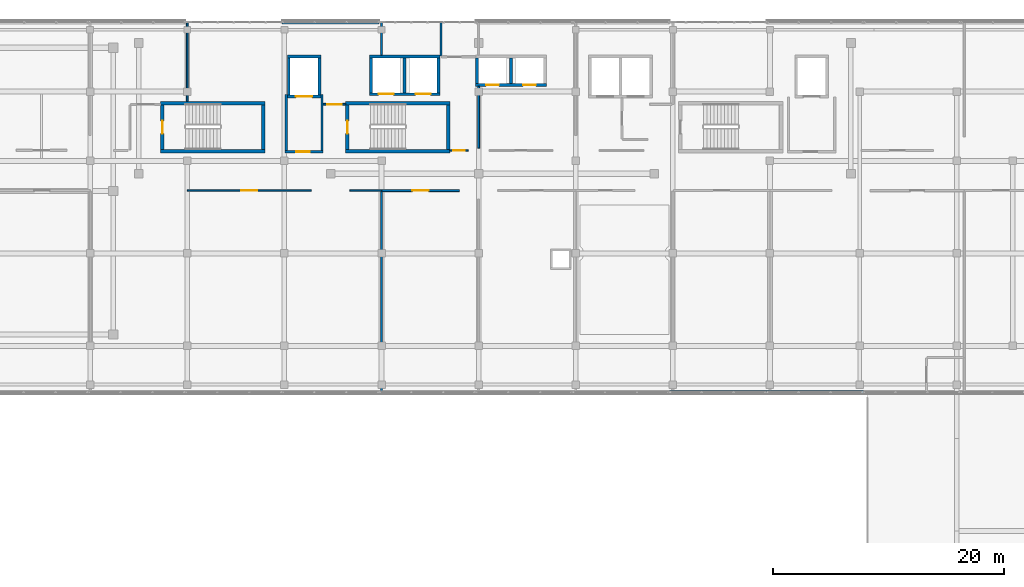
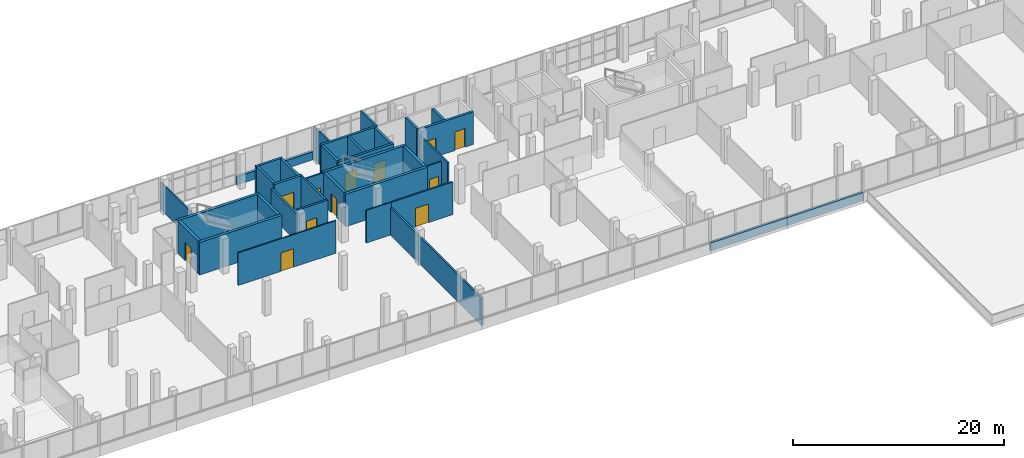
# One storey, part 68 of 76: 36 walls, 12 doors, 12 openings.
"""IFC4 building model written with IfcOpenShell, lengths in metres."""

import ifcopenshell
import ifcopenshell.guid

model = None  # the IFC model being written
_history = None  # IfcOwnerHistory: only IFC2X3 demands one
_inside = {}  # id of a spatial element -> (the spatial element, [elements in it])
_under = {}  # id of a project, library or spatial element -> (it, [spatial elements below it])
_declared = {}  # id of a project -> (the project, [libraries it declares])
_typed = {}  # id of a type object -> (the type object, [elements of that type])
_made_of = {}  # id of a material, layer set ... -> (it, [elements and type objects made of it])


def new_model(schema):
    """Start an empty IFC model of exactly this schema.

    Asked for "IFC4X3", IfcOpenShell would pick the latest addendum, in which some entities
    have other attributes; the version numbers below select the first issue.
    IFC2X3 requires an IfcOwnerHistory on every rooted entity: one is made here for all.
    """
    global model, _history
    if schema == "IFC4X3":
        model = ifcopenshell.file(schema_version=(4, 3, 0, 0))
    else:
        model = ifcopenshell.file(schema=schema)
    _inside.clear()
    _under.clear()
    _declared.clear()
    _typed.clear()
    _made_of.clear()
    _history = None
    if model.schema == "IFC2X3":
        org = make("IfcOrganization", Name="unknown")
        user = make(
            "IfcPersonAndOrganization",
            ThePerson=make("IfcPerson", FamilyName="unknown"),
            TheOrganization=org,
        )
        app = make(
            "IfcApplication",
            ApplicationDeveloper=org,
            Version="unknown",
            ApplicationFullName="unknown",
            ApplicationIdentifier="unknown",
        )
        _history = make(
            "IfcOwnerHistory",
            OwningUser=user,
            OwningApplication=app,
            ChangeAction="ADDED",
            CreationDate=0,
        )
    return model


def make(cls, **values):
    """One entity of the class cls with the attributes given. An attribute that is None is left unset."""
    return model.create_entity(
        cls, **{name: value for name, value in values.items() if value is not None}
    )


def rooted(cls, **values):
    """An entity with a GlobalId (a new one), such as an element, a storey or a relation."""
    return make(cls, GlobalId=ifcopenshell.guid.new(), OwnerHistory=_history, **values)


def si_unit(unit_type, name, prefix=None):
    """IfcSIUnit, for example si_unit("LENGTHUNIT", "METRE", prefix="MILLI")."""
    return make("IfcSIUnit", UnitType=unit_type, Prefix=prefix, Name=name)


def assignment(units):
    """IfcUnitAssignment: the units of a project."""
    return None if units is None else make("IfcUnitAssignment", Units=units)


def point(xyz):
    """IfcCartesianPoint."""
    return None if xyz is None else make("IfcCartesianPoint", Coordinates=xyz)


def direction(xyz):
    """IfcDirection."""
    return None if xyz is None else make("IfcDirection", DirectionRatios=xyz)


def frame(location, z_axis=None, x_axis=None):
    """IfcAxis2Placement3D, a coordinate frame: its origin and axes. An axis left out is left unset."""
    return make(
        "IfcAxis2Placement3D",
        Location=point(location),
        Axis=direction(z_axis),
        RefDirection=direction(x_axis),
    )


def frame_2d(location, x_axis=None):
    """IfcAxis2Placement2D, a coordinate frame in the plane: its origin and x axis."""
    return make(
        "IfcAxis2Placement2D", Location=point(location), RefDirection=direction(x_axis)
    )


def origin():
    """The frame at (0, 0, 0) with its axes left unset."""
    return frame((0.0, 0.0, 0.0))


def place(relative_to, where):
    """IfcLocalPlacement: puts the frame where relative to a parent placement (None: the world)."""
    return make(
        "IfcLocalPlacement", PlacementRelTo=relative_to, RelativePlacement=where
    )


def context(
    kind, dimensions, precision=None, world=None, true_north=None, identifier=None
):
    """IfcGeometricRepresentationContext, for example the 3D "Model" context."""
    return make(
        "IfcGeometricRepresentationContext",
        ContextIdentifier=identifier,
        ContextType=kind,
        CoordinateSpaceDimension=dimensions,
        Precision=precision,
        WorldCoordinateSystem=world,
        TrueNorth=true_north,
    )


def subcontext(parent, identifier, kind, view, scale=None):
    """IfcGeometricRepresentationSubContext, for example "Body" below "Model"."""
    return make(
        "IfcGeometricRepresentationSubContext",
        ContextIdentifier=identifier,
        ContextType=kind,
        ParentContext=parent,
        TargetScale=scale,
        TargetView=view,
    )


def project(units=None, contexts=None):
    """IfcProject with its units and contexts."""
    return rooted(
        "IfcProject",
        Name="project",
        RepresentationContexts=contexts,
        UnitsInContext=assignment(units),
    )


def spatial(cls, under=None, at=None, **own):
    """A site, building, storey or space (cls), placed at a placement, below another one or the project."""
    s = rooted(cls, ObjectPlacement=at, **own)
    if under is not None:
        _under.setdefault(under.id(), (under, []))[1].append(s)
    return s


def profile(cls, at=None, kind="AREA", **sizes):
    """A parametric profile (cls). Its sizes go by their IFC names, for example OverallWidth=200.0."""
    return make(cls, ProfileType=kind, Position=at, **sizes)


def rectangle(**sizes):
    """IfcRectangleProfileDef."""
    return profile("IfcRectangleProfileDef", **sizes)


def extrude(swept, where, along, depth):
    """IfcExtrudedAreaSolid: the profile swept, set in the frame where, extruded along a direction by depth."""
    return make(
        "IfcExtrudedAreaSolid",
        SweptArea=swept,
        Position=where,
        ExtrudedDirection=direction(along),
        Depth=depth,
    )


def shape(context_of_items, identifier, shape_type, items):
    """IfcShapeRepresentation: the items that make up one representation, for example the "Body"."""
    return make(
        "IfcShapeRepresentation",
        ContextOfItems=context_of_items,
        RepresentationIdentifier=identifier,
        RepresentationType=shape_type,
        Items=items,
    )


def material(Name=None, Category=None):
    """IfcMaterial."""
    return make("IfcMaterial", Name=Name, Category=Category)


def layer(
    of_material, thickness, ventilated=None, Name=None, Category=None, Priority=None
):
    """IfcMaterialLayer: one layer of a wall or slab, of a material (None: an air gap)."""
    return make(
        "IfcMaterialLayer",
        Material=of_material,
        LayerThickness=thickness,
        IsVentilated=ventilated,
        Name=Name,
        Category=Category,
        Priority=Priority,
    )


def layer_set(layers, Name=None):
    """IfcMaterialLayerSet."""
    return make("IfcMaterialLayerSet", MaterialLayers=layers, LayerSetName=Name)


def made_of(thing, what):
    """Note that an element or type object is made of a material, layer set ...; save() writes the relation."""
    if what is not None:
        _made_of.setdefault(what.id(), (what, []))[1].append(thing)
    return thing


def type_object(cls, material=None, **own):
    """A type object (cls), such as IfcWallType, which elements share."""
    return made_of(rooted(cls, **own), material)


def element(
    cls,
    number,
    at=None,
    inside=None,
    cuts=None,
    type_object=None,
    material=None,
    context=None,
    identifier="Body",
    shape_type=None,
    held_by="IfcProductDefinitionShape",
    body=None,
    shapes=None,
    **own,
):
    """One element of the class cls, such as IfcWall. Its Tag is "e" and its number.

    at: its placement. inside: the storey or other place that contains it. cuts: it is an
    opening in that element (IfcRelVoidsElement). A single representation is given by context,
    identifier, shape_type and body (its items); several are given by shapes. held_by: the class
    of the entity that holds the representations. save() writes the other relations.
    """
    e = rooted(cls, Tag="e%d" % number, ObjectPlacement=at, **own)
    if body is not None:
        shapes = [shape(context, identifier, shape_type, body)]
    if shapes is not None:
        e.Representation = make(held_by, Representations=shapes)
    if inside is not None:
        _inside.setdefault(inside.id(), (inside, []))[1].append(e)
    if cuts is not None:
        rooted(
            "IfcRelVoidsElement", RelatingBuildingElement=cuts, RelatedOpeningElement=e
        )
    if type_object is not None:
        _typed.setdefault(type_object.id(), (type_object, []))[1].append(e)
    return made_of(e, material)


def fill(opening, filler):
    """IfcRelFillsElement: the door or window that sits in an opening."""
    return rooted(
        "IfcRelFillsElement",
        RelatingOpeningElement=opening,
        RelatedBuildingElement=filler,
    )


def aggregate(whole, parts):
    """IfcRelAggregates: a whole, such as a stair, and the parts it consists of."""
    return rooted("IfcRelAggregates", RelatingObject=whole, RelatedObjects=parts)


def save(model, path):
    """Write the relations noted so far, then the file.

    IfcRelAggregates (storeys below a building ...), IfcRelContainedInSpatialStructure (elements
    in a storey), IfcRelDefinesByType, IfcRelAssociatesMaterial and IfcRelDeclares: one each for
    every whole, place, type object, material and project.
    """
    for whole, parts in _under.values():
        aggregate(whole, parts)
    for where, things in _inside.values():
        rooted(
            "IfcRelContainedInSpatialStructure",
            RelatedElements=things,
            RelatingStructure=where,
        )
    for kind, things in _typed.values():
        rooted("IfcRelDefinesByType", RelatedObjects=things, RelatingType=kind)
    for what, things in _made_of.values():
        rooted("IfcRelAssociatesMaterial", RelatedObjects=things, RelatingMaterial=what)
    for by, libraries in _declared.values():
        rooted("IfcRelDeclares", RelatingContext=by, RelatedDefinitions=libraries)
    model.write(path)


model = new_model("IFC4")

# Units and contexts
model_context = context("Model", 3, precision=1e-05, world=origin(), true_north=direction((0.0, 1.0)))
body_context = subcontext(model_context, "Body", "Model", "MODEL_VIEW")
ifc_project = project(units=[si_unit("LENGTHUNIT", "METRE"), si_unit("AREAUNIT", "SQUARE_METRE"), si_unit("VOLUMEUNIT", "CUBIC_METRE"), si_unit("PLANEANGLEUNIT", "RADIAN"), si_unit("MASSUNIT", "GRAM", prefix="KILO")], contexts=[model_context])

# Site, building, storey
site_placement = place(None, origin())
site = spatial("IfcSite", under=ifc_project, at=site_placement, CompositionType="ELEMENT")
building_placement = place(site_placement, origin())
building = spatial("IfcBuilding", under=site, at=building_placement, Name="Selatvlak General Hospital", CompositionType="ELEMENT")
storey_placement = place(building_placement, frame((0.0, 0.0, 27.300048828125)))
storey = spatial("IfcBuildingStorey", under=building, at=storey_placement, Name="L06", CompositionType="ELEMENT", Elevation=27.300048828125)

# Walls
ifc_material_1 = material(Name="Precast concrete C40/50 - white Bauhaus spandrel", Category="concrete")
ifc_layer_1 = layer(ifc_material_1, 0.280029296875, Name="Precast concrete C40/50 - white Bauhaus spandrel", Category="concrete")
ifc_layer_set_1 = layer_set([ifc_layer_1], Name="Precast concrete C40/50 - white Bauhaus spandrel")
wall_type_1 = type_object("IfcWallType", Name="WALL-EW-02", PredefinedType="SOLIDWALL", material=ifc_layer_set_1)
for number, where, z_axis, x_axis, name in (
    (1, (98.2119140625, 119.9990234375, 0.0), (0.0, 0.0, 1.0), (0.999999993202, 0.000116604477, 0.0), "L06 Bauhaus spandrel sill wall 0534"),
    (2, (148.48193359375, 88.0009765625, 0.0), (0.0, 0.0, 1.0), (-1.0, 0.0, 0.0), "L06 Bauhaus spandrel sill wall 0550"),
    (3, (140.10302734375, 88.0009765625, 0.0), (0.0, 0.0, 1.0), (-1.0, 0.0, 0.0), "L06 Bauhaus spandrel sill wall 0551"),
):
    element("IfcWall", number, at=place(storey_placement, frame(where, z_axis=z_axis, x_axis=x_axis)), inside=storey, type_object=wall_type_1, Name=name, PredefinedType="SOLIDWALL", context=body_context, shape_type="SweptSolid", body=[
        extrude(rectangle(XDim=8.375, YDim=0.280029296875, at=frame_2d((4.1875, 0.0))), origin(), (0.0, 0.0, 1.0), 0.93994140625),
    ])

# Wall, opening, door
ifc_material_2 = material(Name="Concrete C40/50", Category="concrete")
ifc_layer_2 = layer(ifc_material_2, 0.199951171875, Name="Concrete C40/50", Category="concrete")
ifc_layer_set_2 = layer_set([ifc_layer_2], Name="Concrete C40/50")
wall_type_2 = type_object("IfcWallType", Name="WALL-IW-02", PredefinedType="SOLIDWALL", material=ifc_layer_set_2)
wall_1_placement = place(storey_placement, frame((98.449951171875, 108.800048828125, 0.0), z_axis=(0.0, 0.0, 1.0), x_axis=(1.0, 0.0, 0.0)))
wall_1 = element("IfcWall", 4, at=wall_1_placement, inside=storey, type_object=wall_type_2, Name="Firefighting lobby C2 wall L06 S", PredefinedType="SOLIDWALL", context=body_context, shape_type="SweptSolid", body=[
    extrude(rectangle(XDim=3.300048828125, YDim=0.199951171875, at=frame_2d((1.64990234375, 0.0))), origin(), (0.0, 0.0, 1.0), 3.780029296875),
])
opening_1_placement = place(wall_1_placement, frame((0.97509765625, 0.0, 0.0)))
opening_1 = element("IfcOpeningElement", 5, at=opening_1_placement, cuts=wall_1, Name="Opening D-06", PredefinedType="OPENING", context=body_context, shape_type="SweptSolid", body=[
    extrude(rectangle(XDim=1.14990234375, YDim=2.14990234375, at=frame_2d((0.574951171875, 1.074951171875))), frame((0.0, 0.10986328125, 0.0), z_axis=(0.0, -1.0, 0.0), x_axis=(1.0, 0.0, 0.0)), (0.0, 0.0, 1.0), 0.219970703125),
])
ifc_material_3 = material(Name="Firefighting lobby fire door")
door_type_1 = type_object("IfcDoorType", Name="DOOR-D-06", OperationType="NOTDEFINED", PredefinedType="DOOR", material=ifc_material_3)
door_1_placement = place(opening_1_placement, origin())
door_1 = element("IfcDoor", 6, at=door_1_placement, inside=storey, type_object=door_type_1, Name="Firefighting lobby C2 door on L06", OperationType="SINGLE_SWING_RIGHT", OverallHeight=2.14990234375, OverallWidth=1.14990234375, PredefinedType="DOOR", context=body_context, shape_type="SweptSolid", body=[
    extrude(rectangle(XDim=1.14990234375, YDim=2.14990234375, at=frame_2d((0.574951171875, 1.074951171875))), frame((0.0, 0.02490234375, 0.0), z_axis=(0.0, -1.0, 0.0), x_axis=(1.0, 0.0, 0.0)), (0.0, 0.0, 1.0), 0.050048828125),
])
fill(opening_1, door_1)

# Walls
wall_2_placement = place(storey_placement, frame((101.64990234375, 108.89990234375, 0.0), z_axis=(0.0, 0.0, 1.0), x_axis=(0.0, 1.0, 0.0)))
element("IfcWall", 7, at=wall_2_placement, inside=storey, type_object=wall_type_2, Name="Firefighting lobby C2 wall L06 E", PredefinedType="SOLIDWALL", context=body_context, shape_type="SweptSolid", body=[
    extrude(rectangle(XDim=4.85009765625, YDim=0.199951171875, at=frame_2d((2.425048828125, 0.0))), origin(), (0.0, 0.0, 1.0), 3.780029296875),
])
wall_3_placement = place(storey_placement, frame((98.550048828125, 113.75, 0.0), z_axis=(0.0, 0.0, 1.0), x_axis=(0.0, -1.0, 0.0)))
element("IfcWall", 8, at=wall_3_placement, inside=storey, type_object=wall_type_2, Name="Firefighting lobby C2 wall L06 W", PredefinedType="SOLIDWALL", context=body_context, shape_type="SweptSolid", body=[
    extrude(rectangle(XDim=4.85009765625, YDim=0.199951171875, at=frame_2d((2.425048828125, 0.0))), origin(), (0.0, 0.0, 1.0), 3.179931640625),
])
ifc_material_4 = material(Name="Acoustic gypsum stud partition")
ifc_layer_3 = layer(ifc_material_4, 0.179931640625, Name="Acoustic gypsum stud partition")
ifc_layer_set_3 = layer_set([ifc_layer_3], Name="Acoustic gypsum stud partition")
wall_type_3 = type_object("IfcWallType", Name="WALL-PT-01", PredefinedType="PARTITIONING", material=ifc_layer_set_3)
wall_4_placement = place(storey_placement, frame((106.800048828125, 105.384033203125, 0.0), z_axis=(0.0, 0.0, 1.0), x_axis=(0.0, -1.0, 0.0)))
element("IfcWall", 9, at=wall_4_placement, inside=storey, type_object=wall_type_3, Name="L06 clinical partition PT-L06-1995", PredefinedType="PARTITIONING", context=body_context, shape_type="SweptSolid", body=[
    extrude(rectangle(XDim=17.341064453125, YDim=0.179931640625, at=frame_2d((8.67041015625, 0.0))), origin(), (0.0, 0.0, 1.0), 3.179931640625),
])
wall_5_placement = place(storey_placement, frame((111.93994140625, 119.989013671875, 0.0), z_axis=(0.0, 0.0, 1.0), x_axis=(0.0, -1.0, 0.0)))
element("IfcWall", 10, at=wall_5_placement, inside=storey, type_object=wall_type_3, Name="L06 clinical partition PT-L06-2040", PredefinedType="PARTITIONING", context=body_context, shape_type="SweptSolid", body=[
    extrude(rectangle(XDim=2.928955078125, YDim=0.179931640625, at=frame_2d((1.46435546875, 0.0))), origin(), (0.0, 0.0, 1.0), 3.780029296875),
])

# Wall, opening, door
ifc_layer_4 = layer(ifc_material_4, 0.1650390625, Name="Acoustic gypsum stud partition")
ifc_layer_set_4 = layer_set([ifc_layer_4], Name="Acoustic gypsum stud partition")
wall_type_4 = type_object("IfcWallType", Name="WALL-PT-02", PredefinedType="PARTITIONING", material=ifc_layer_set_4)
wall_6_placement = place(storey_placement, frame((106.800048828125, 105.43994140625, 0.0), z_axis=(0.0, 0.0, 1.0), x_axis=(1.0, 0.0, 0.0)))
wall_6 = element("IfcWall", 11, at=wall_6_placement, inside=storey, type_object=wall_type_4, Name="L06 clinical partition PT-L06-1996", PredefinedType="PARTITIONING", context=body_context, shape_type="SweptSolid", body=[
    extrude(rectangle(XDim=6.743896484375, YDim=0.1650390625, at=frame_2d((3.3720703125, 0.0))), origin(), (0.0, 0.0, 1.0), 3.780029296875),
])
opening_2_placement = place(wall_6_placement, frame((2.64697265625, 0.0, 0.0)))
opening_2 = element("IfcOpeningElement", 12, at=opening_2_placement, cuts=wall_6, Name="Opening D-12", PredefinedType="OPENING", context=body_context, shape_type="SweptSolid", body=[
    extrude(rectangle(XDim=1.449951171875, YDim=2.14990234375, at=frame_2d((0.72509765625, 1.074951171875))), frame((0.0, 0.092529296875, 0.0), z_axis=(0.0, -1.0, 0.0), x_axis=(1.0, 0.0, 0.0)), (0.0, 0.0, 1.0), 0.18505859375),
])
ifc_material_5 = material(Name="Isolation anteroom door")
door_type_2 = type_object("IfcDoorType", Name="DOOR-D-12", OperationType="NOTDEFINED", PredefinedType="DOOR", material=ifc_material_5)
door_2_placement = place(opening_2_placement, origin())
door_2 = element("IfcDoor", 13, at=door_2_placement, inside=storey, type_object=door_type_2, Name="L06 Acute Stroke Inpatient Ward 09 door", OperationType="SINGLE_SWING_RIGHT", OverallHeight=2.14990234375, OverallWidth=1.449951171875, PredefinedType="DOOR", context=body_context, shape_type="SweptSolid", body=[
    extrude(rectangle(XDim=1.449951171875, YDim=2.14990234375, at=frame_2d((0.72509765625, 1.074951171875))), frame((0.0, 0.02490234375, 0.0), z_axis=(0.0, -1.0, 0.0), x_axis=(1.0, 0.0, 0.0)), (0.0, 0.0, 1.0), 0.050048828125),
])
fill(opening_2, door_2)

# Walls
wall_7_placement = place(storey_placement, frame((106.800048828125, 119.989013671875, 0.0), z_axis=(0.0, 0.0, 1.0), x_axis=(0.0, -1.0, 0.0)))
element("IfcWall", 14, at=wall_7_placement, inside=storey, type_object=wall_type_4, Name="L06 clinical partition PT-L06-2036", PredefinedType="PARTITIONING", context=body_context, shape_type="SweptSolid", body=[
    extrude(rectangle(XDim=2.842041015625, YDim=0.1650390625, at=frame_2d((1.4208984375, 0.0))), origin(), (0.0, 0.0, 1.0), 3.780029296875),
])
wall_8_placement = place(storey_placement, frame((115.199951171875, 114.452880859375, 0.0), z_axis=(0.0, 0.0, 1.0), x_axis=(0.0, -1.0, 0.0)))
element("IfcWall", 15, at=wall_8_placement, inside=storey, type_object=wall_type_4, Name="L06 clinical partition PT-L06-2038", PredefinedType="PARTITIONING", context=body_context, shape_type="SweptSolid", body=[
    extrude(rectangle(XDim=5.3427734375, YDim=0.1650390625, at=frame_2d((2.67138671875, 0.0))), origin(), (0.0, 0.0, 1.0), 3.179931640625),
])
ifc_layer_5 = layer(ifc_material_4, 0.14990234375, Name="Acoustic gypsum stud partition")
ifc_layer_set_5 = layer_set([ifc_layer_5], Name="Acoustic gypsum stud partition")
wall_type_5 = type_object("IfcWallType", Name="WALL-PT-03", PredefinedType="PARTITIONING", material=ifc_layer_set_5)
wall_9_placement = place(storey_placement, frame((90.0, 119.988037109375, 0.0), z_axis=(0.0, 0.0, 1.0), x_axis=(0.0, -1.0, 0.0)))
element("IfcWall", 16, at=wall_9_placement, inside=storey, type_object=wall_type_5, Name="L06 clinical partition PT-L06-2032", PredefinedType="PARTITIONING", context=body_context, shape_type="SweptSolid", body=[
    extrude(rectangle(XDim=6.841064453125, YDim=0.14990234375, at=frame_2d((3.42041015625, 0.0))), origin(), (0.0, 0.0, 1.0), 3.179931640625),
])

# Wall, opening, door
wall_10_placement = place(storey_placement, frame((103.68994140625, 112.89990234375, 0.0), z_axis=(0.0, 0.0, 1.0), x_axis=(-1.0, 0.0, 0.0)))
wall_10 = element("IfcWall", 17, at=wall_10_placement, inside=storey, type_object=wall_type_5, Name="L06 clinical partition PT-L06-2037", PredefinedType="PARTITIONING", context=body_context, shape_type="SweptSolid", body=[
    extrude(rectangle(XDim=1.94287109375, YDim=0.14990234375, at=frame_2d((0.971435546875, 0.0))), origin(), (0.0, 0.0, 1.0), 3.780029296875),
])
opening_3_placement = place(wall_10_placement, frame((0.345947265625, 0.0, 0.0)))
opening_3 = element("IfcOpeningElement", 18, at=opening_3_placement, cuts=wall_10, Name="Opening D-08", PredefinedType="OPENING", context=body_context, shape_type="SweptSolid", body=[
    extrude(rectangle(XDim=1.25, YDim=2.14990234375, at=frame_2d((0.625, 1.074951171875))), frame((0.0, 0.0849609375, 0.0), z_axis=(0.0, -1.0, 0.0), x_axis=(1.0, 0.0, 0.0)), (0.0, 0.0, 1.0), 0.169921875),
])
ifc_material_6 = material(Name="Diagnostic treatment door")
door_type_3 = type_object("IfcDoorType", Name="DOOR-D-08", OperationType="NOTDEFINED", PredefinedType="DOOR", material=ifc_material_6)
door_3_placement = place(opening_3_placement, origin())
door_3 = element("IfcDoor", 19, at=door_3_placement, inside=storey, type_object=door_type_3, Name="L06 Telemetry Nurse Monitoring Room 24 door", OperationType="SINGLE_SWING_RIGHT", OverallHeight=2.14990234375, OverallWidth=1.25, PredefinedType="DOOR", context=body_context, shape_type="SweptSolid", body=[
    extrude(rectangle(XDim=1.25, YDim=2.14990234375, at=frame_2d((0.625, 1.074951171875))), frame((0.0, 0.02490234375, 0.0), z_axis=(0.0, -1.0, 0.0), x_axis=(1.0, 0.0, 0.0)), (0.0, 0.0, 1.0), 0.050048828125),
])
fill(opening_3, door_3)

ifc_material_7 = material(Name="Moisture-resistant clinical partition")
ifc_layer_6 = layer(ifc_material_7, 0.135009765625, Name="Moisture-resistant clinical partition")
ifc_layer_set_6 = layer_set([ifc_layer_6], Name="Moisture-resistant clinical partition")
wall_type_6 = type_object("IfcWallType", Name="WALL-PT-04", PredefinedType="PARTITIONING", material=ifc_layer_set_6)
wall_11_placement = place(storey_placement, frame((90.0, 105.43994140625, 0.0), z_axis=(0.0, 0.0, 1.0), x_axis=(1.0, 0.0, 0.0)))
wall_11 = element("IfcWall", 20, at=wall_11_placement, inside=storey, type_object=wall_type_6, Name="L06 clinical partition PT-L06-1993", PredefinedType="PARTITIONING", context=body_context, shape_type="SweptSolid", body=[
    extrude(rectangle(XDim=10.743896484375, YDim=0.135009765625, at=frame_2d((5.3720703125, 0.0))), origin(), (0.0, 0.0, 1.0), 3.780029296875),
])
opening_4_placement = place(wall_11_placement, frame((4.672119140625, 0.0, 0.0)))
opening_4 = element("IfcOpeningElement", 21, at=opening_4_placement, cuts=wall_11, Name="Opening D-11", PredefinedType="OPENING", context=body_context, shape_type="SweptSolid", body=[
    extrude(rectangle(XDim=1.39990234375, YDim=2.14990234375, at=frame_2d((0.699951171875, 1.074951171875))), frame((0.0, 0.077392578125, 0.0), z_axis=(0.0, -1.0, 0.0), x_axis=(1.0, 0.0, 0.0)), (0.0, 0.0, 1.0), 0.155029296875),
])
ifc_material_8 = material(Name="Inpatient suite bed door")
door_type_4 = type_object("IfcDoorType", Name="DOOR-D-11", OperationType="NOTDEFINED", PredefinedType="DOOR", material=ifc_material_8)
door_4_placement = place(opening_4_placement, origin())
door_4 = element("IfcDoor", 22, at=door_4_placement, inside=storey, type_object=door_type_4, Name="L06 Coronary Care Unit Bay 08 door", OperationType="SINGLE_SWING_LEFT", OverallHeight=2.14990234375, OverallWidth=1.39990234375, PredefinedType="DOOR", context=body_context, shape_type="SweptSolid", body=[
    extrude(rectangle(XDim=1.39990234375, YDim=2.14990234375, at=frame_2d((0.699951171875, 1.074951171875))), frame((0.0, 0.02490234375, 0.0), z_axis=(0.0, -1.0, 0.0), x_axis=(1.0, 0.0, 0.0)), (0.0, 0.0, 1.0), 0.050048828125),
])
fill(opening_4, door_4)

wall_12_placement = place(storey_placement, frame((114.287109375, 108.909912109375, 0.0), z_axis=(0.0, 0.0, 1.0), x_axis=(-1.0, 0.0, 0.0)))
wall_12 = element("IfcWall", 23, at=wall_12_placement, inside=storey, type_object=wall_type_6, Name="L06 clinical partition PT-L06-2039", PredefinedType="PARTITIONING", context=body_context, shape_type="SweptSolid", body=[
    extrude(rectangle(XDim=1.5771484375, YDim=0.135009765625, at=frame_2d((0.78857421875, 0.0))), origin(), (0.0, 0.0, 1.0), 3.780029296875),
])
opening_5_placement = place(wall_12_placement, frame((0.2890625, 0.0, 0.0)))
opening_5 = element("IfcOpeningElement", 24, at=opening_5_placement, cuts=wall_12, Name="Opening D-21", PredefinedType="OPENING", context=body_context, shape_type="SweptSolid", body=[
    extrude(rectangle(XDim=1.0, YDim=2.14990234375, at=frame_2d((0.5, 1.074951171875))), frame((0.0, 0.077392578125, 0.0), z_axis=(0.0, -1.0, 0.0), x_axis=(1.0, 0.0, 0.0)), (0.0, 0.0, 1.0), 0.155029296875),
])
ifc_material_9 = material(Name="Laboratory fire door")
door_type_5 = type_object("IfcDoorType", Name="DOOR-D-21", OperationType="NOTDEFINED", PredefinedType="DOOR", material=ifc_material_9)
door_5_placement = place(opening_5_placement, origin())
door_5 = element("IfcDoor", 25, at=door_5_placement, inside=storey, type_object=door_type_5, Name="L06 Single Patient Room 25 door", OperationType="SINGLE_SWING_LEFT", OverallHeight=2.14990234375, OverallWidth=1.0, PredefinedType="DOOR", context=body_context, shape_type="SweptSolid", body=[
    extrude(rectangle(XDim=1.0, YDim=2.14990234375, at=frame_2d((0.5, 1.074951171875))), frame((0.0, 0.02490234375, 0.0), z_axis=(0.0, -1.0, 0.0), x_axis=(1.0, 0.0, 0.0)), (0.0, 0.0, 1.0), 0.050048828125),
])
fill(opening_5, door_5)

# Walls
ifc_layer_7 = layer(ifc_material_7, 0.1201171875, Name="Moisture-resistant clinical partition")
ifc_layer_set_7 = layer_set([ifc_layer_7], Name="Moisture-resistant clinical partition")
wall_type_7 = type_object("IfcWallType", Name="WALL-PT-05", PredefinedType="PARTITIONING", material=ifc_layer_set_7)
wall_13_placement = place(storey_placement, frame((104.055908203125, 105.43994140625, 0.0), z_axis=(0.0, 0.0, 1.0), x_axis=(1.0, 0.0, 0.0)))
element("IfcWall", 26, at=wall_13_placement, inside=storey, type_object=wall_type_7, Name="L06 clinical partition PT-L06-1994", PredefinedType="PARTITIONING", context=body_context, shape_type="SweptSolid", body=[
    extrude(rectangle(XDim=2.744140625, YDim=0.1201171875, at=frame_2d((1.3720703125, 0.0))), origin(), (0.0, 0.0, 1.0), 3.780029296875),
])
ifc_material_10 = material(Name="Concrete C45/55", Category="concrete")
ifc_layer_8 = layer(ifc_material_10, 0.300048828125, Name="Concrete C45/55", Category="concrete")
ifc_layer_set_8 = layer_set([ifc_layer_8], Name="Concrete C45/55")
wall_type_8 = type_object("IfcWallType", Name="WALL-SW-02", PredefinedType="SHEAR", material=ifc_layer_set_8)
wall_14_placement = place(storey_placement, frame((87.68994140625, 108.840087890625, 0.0), z_axis=(0.0, 0.0, 1.0), x_axis=(1.0, 0.0, 0.0)))
element("IfcWall", 27, at=wall_14_placement, inside=storey, type_object=wall_type_8, Name="ST-02 core shear wall L06 S", PredefinedType="SHEAR", context=body_context, shape_type="SweptSolid", body=[
    extrude(rectangle(XDim=9.02001953125, YDim=0.300048828125, at=frame_2d((4.510009765625, 0.0))), origin(), (0.0, 0.0, 1.0), 3.780029296875),
])
wall_15_placement = place(storey_placement, frame((96.56005859375, 108.989990234375, 0.0), z_axis=(0.0, 0.0, 1.0), x_axis=(0.0, 1.0, 0.0)))
element("IfcWall", 28, at=wall_15_placement, inside=storey, type_object=wall_type_8, Name="ST-02 core shear wall L06 E", PredefinedType="SHEAR", context=body_context, shape_type="SweptSolid", body=[
    extrude(rectangle(XDim=3.860107421875, YDim=0.300048828125, at=frame_2d((1.93017578125, 0.0))), origin(), (0.0, 0.0, 1.0), 3.780029296875),
])
wall_16_placement = place(storey_placement, frame((96.7099609375, 113.0, 0.0), z_axis=(0.0, 0.0, 1.0), x_axis=(-1.0, 0.0, 0.0)))
element("IfcWall", 29, at=wall_16_placement, inside=storey, type_object=wall_type_8, Name="ST-02 core shear wall L06 N", PredefinedType="SHEAR", context=body_context, shape_type="SweptSolid", body=[
    extrude(rectangle(XDim=9.02001953125, YDim=0.300048828125, at=frame_2d((4.510009765625, 0.0))), origin(), (0.0, 0.0, 1.0), 3.780029296875),
])

# Wall, opening, door
wall_17_placement = place(storey_placement, frame((87.840087890625, 112.85009765625, 0.0), z_axis=(0.0, 0.0, 1.0), x_axis=(0.0, -1.0, 0.0)))
wall_17 = element("IfcWall", 30, at=wall_17_placement, inside=storey, type_object=wall_type_8, Name="ST-02 core shear wall L06 W", PredefinedType="SHEAR", context=body_context, shape_type="SweptSolid", body=[
    extrude(rectangle(XDim=3.860107421875, YDim=0.300048828125, at=frame_2d((1.93017578125, 0.0))), origin(), (0.0, 0.0, 1.0), 3.780029296875),
])
opening_6_placement = place(wall_17_placement, frame((1.3798828125, 0.0, 0.0)))
opening_6 = element("IfcOpeningElement", 31, at=opening_6_placement, cuts=wall_17, Name="Opening D-05", PredefinedType="OPENING", context=body_context, shape_type="SweptSolid", body=[
    extrude(rectangle(XDim=1.10009765625, YDim=2.14990234375, at=frame_2d((0.550048828125, 1.074951171875))), frame((0.0, 0.159912109375, 0.0), z_axis=(0.0, -1.0, 0.0), x_axis=(1.0, 0.0, 0.0)), (0.0, 0.0, 1.0), 0.320068359375),
])
ifc_material_11 = material(Name="Protected stair fire door")
door_type_6 = type_object("IfcDoorType", Name="DOOR-D-05", OperationType="NOTDEFINED", PredefinedType="DOOR", material=ifc_material_11)
door_6_placement = place(opening_6_placement, origin())
door_6 = element("IfcDoor", 32, at=door_6_placement, inside=storey, type_object=door_type_6, Name="ST-02 protected stair door on L06", OperationType="SINGLE_SWING_LEFT", OverallHeight=2.14990234375, OverallWidth=1.10009765625, PredefinedType="DOOR", context=body_context, shape_type="SweptSolid", body=[
    extrude(rectangle(XDim=1.10009765625, YDim=2.14990234375, at=frame_2d((0.550048828125, 1.074951171875))), frame((0.0, 0.02490234375, 0.0), z_axis=(0.0, -1.0, 0.0), x_axis=(1.0, 0.0, 0.0)), (0.0, 0.0, 1.0), 0.050048828125),
])
fill(opening_6, door_6)

# Walls
wall_18_placement = place(storey_placement, frame((103.68994140625, 108.840087890625, 0.0), z_axis=(0.0, 0.0, 1.0), x_axis=(1.0, 0.0, 0.0)))
element("IfcWall", 33, at=wall_18_placement, inside=storey, type_object=wall_type_8, Name="ST-03 core shear wall L06 S", PredefinedType="SHEAR", context=body_context, shape_type="SweptSolid", body=[
    extrude(rectangle(XDim=9.02001953125, YDim=0.300048828125, at=frame_2d((4.510009765625, 0.0))), origin(), (0.0, 0.0, 1.0), 3.780029296875),
])
wall_19_placement = place(storey_placement, frame((112.56005859375, 108.989990234375, 0.0), z_axis=(0.0, 0.0, 1.0), x_axis=(0.0, 1.0, 0.0)))
element("IfcWall", 34, at=wall_19_placement, inside=storey, type_object=wall_type_8, Name="ST-03 core shear wall L06 E", PredefinedType="SHEAR", context=body_context, shape_type="SweptSolid", body=[
    extrude(rectangle(XDim=3.860107421875, YDim=0.300048828125, at=frame_2d((1.93017578125, 0.0))), origin(), (0.0, 0.0, 1.0), 3.780029296875),
])
wall_20_placement = place(storey_placement, frame((112.7099609375, 113.0, 0.0), z_axis=(0.0, 0.0, 1.0), x_axis=(-1.0, 0.0, 0.0)))
element("IfcWall", 35, at=wall_20_placement, inside=storey, type_object=wall_type_8, Name="ST-03 core shear wall L06 N", PredefinedType="SHEAR", context=body_context, shape_type="SweptSolid", body=[
    extrude(rectangle(XDim=9.02001953125, YDim=0.300048828125, at=frame_2d((4.510009765625, 0.0))), origin(), (0.0, 0.0, 1.0), 3.780029296875),
])

# Wall, opening, door
wall_21_placement = place(storey_placement, frame((103.840087890625, 112.85009765625, 0.0), z_axis=(0.0, 0.0, 1.0), x_axis=(0.0, -1.0, 0.0)))
wall_21 = element("IfcWall", 36, at=wall_21_placement, inside=storey, type_object=wall_type_8, Name="ST-03 core shear wall L06 W", PredefinedType="SHEAR", context=body_context, shape_type="SweptSolid", body=[
    extrude(rectangle(XDim=3.860107421875, YDim=0.300048828125, at=frame_2d((1.93017578125, 0.0))), origin(), (0.0, 0.0, 1.0), 3.780029296875),
])
opening_7_placement = place(wall_21_placement, frame((1.3798828125, 0.0, 0.0)))
opening_7 = element("IfcOpeningElement", 37, at=opening_7_placement, cuts=wall_21, Name="Opening D-05", PredefinedType="OPENING", context=body_context, shape_type="SweptSolid", body=[
    extrude(rectangle(XDim=1.10009765625, YDim=2.14990234375, at=frame_2d((0.550048828125, 1.074951171875))), frame((0.0, 0.159912109375, 0.0), z_axis=(0.0, -1.0, 0.0), x_axis=(1.0, 0.0, 0.0)), (0.0, 0.0, 1.0), 0.320068359375),
])
door_7_placement = place(opening_7_placement, origin())
door_7 = element("IfcDoor", 38, at=door_7_placement, inside=storey, type_object=door_type_6, Name="ST-03 protected stair door on L06", OperationType="SINGLE_SWING_RIGHT", OverallHeight=2.14990234375, OverallWidth=1.10009765625, PredefinedType="DOOR", context=body_context, shape_type="SweptSolid", body=[
    extrude(rectangle(XDim=1.10009765625, YDim=2.14990234375, at=frame_2d((0.550048828125, 1.074951171875))), frame((0.0, 0.02490234375, 0.0), z_axis=(0.0, -1.0, 0.0), x_axis=(1.0, 0.0, 0.0)), (0.0, 0.0, 1.0), 0.050048828125),
])
fill(opening_7, door_7)

ifc_layer_9 = layer(ifc_material_2, 0.25, Name="Concrete C40/50", Category="concrete")
ifc_layer_set_9 = layer_set([ifc_layer_9], Name="Concrete C40/50")
wall_type_9 = type_object("IfcWallType", Name="WALL-SW-03", PredefinedType="SHEAR", material=ifc_layer_set_9)
wall_22_placement = place(storey_placement, frame((98.64990234375, 113.574951171875, 0.0), z_axis=(0.0, 0.0, 1.0), x_axis=(1.0, 0.0, 0.0)))
wall_22 = element("IfcWall", 39, at=wall_22_placement, inside=storey, type_object=wall_type_9, Name="Lift LF-02 shaft wall L06 S", PredefinedType="SHEAR", context=body_context, shape_type="SweptSolid", body=[
    extrude(rectangle(XDim=2.900146484375, YDim=0.25, at=frame_2d((1.4501953125, 0.0))), origin(), (0.0, 0.0, 1.0), 3.780029296875),
])
opening_8_placement = place(wall_22_placement, frame((0.75, 0.0, 0.0)))
opening_8 = element("IfcOpeningElement", 40, at=opening_8_placement, cuts=wall_22, Name="Opening LD-F1", PredefinedType="OPENING", context=body_context, shape_type="SweptSolid", body=[
    extrude(rectangle(XDim=1.39990234375, YDim=2.14990234375, at=frame_2d((0.699951171875, 1.074951171875))), frame((0.0, 0.135009765625, 0.0), z_axis=(0.0, -1.0, 0.0), x_axis=(1.0, 0.0, 0.0)), (0.0, 0.0, 1.0), 0.27001953125),
])
ifc_material_12 = material(Name="Stainless steel fire lift landing door", Category="steel")
door_type_7 = type_object("IfcDoorType", Name="DOOR-LD-F1", OperationType="DOUBLE_DOOR_SLIDING", PredefinedType="DOOR", material=ifc_material_12)
door_8_placement = place(opening_8_placement, origin())
door_8 = element("IfcDoor", 41, at=door_8_placement, inside=storey, type_object=door_type_7, Name="Lift LF-02 sliding landing door on L06", OperationType="DOUBLE_DOOR_SLIDING", OverallHeight=2.14990234375, OverallWidth=1.39990234375, PredefinedType="DOOR", context=body_context, shape_type="SweptSolid", body=[
    extrude(rectangle(XDim=1.39990234375, YDim=2.14990234375, at=frame_2d((0.699951171875, 1.074951171875))), frame((0.0, 0.02490234375, 0.0), z_axis=(0.0, -1.0, 0.0), x_axis=(1.0, 0.0, 0.0)), (0.0, 0.0, 1.0), 0.050048828125),
])
fill(opening_8, door_8)

# Walls
wall_23_placement = place(storey_placement, frame((101.425048828125, 113.699951171875, 0.0), z_axis=(0.0, 0.0, 1.0), x_axis=(0.0, 1.0, 0.0)))
element("IfcWall", 42, at=wall_23_placement, inside=storey, type_object=wall_type_9, Name="Lift LF-02 shaft wall L06 E", PredefinedType="SHEAR", context=body_context, shape_type="SweptSolid", body=[
    extrude(rectangle(XDim=3.199951171875, YDim=0.25, at=frame_2d((1.60009765625, 0.0))), origin(), (0.0, 0.0, 1.0), 3.780029296875),
])
wall_24_placement = place(storey_placement, frame((101.550048828125, 117.02490234375, 0.0), z_axis=(0.0, 0.0, 1.0), x_axis=(-1.0, 0.0, 0.0)))
element("IfcWall", 43, at=wall_24_placement, inside=storey, type_object=wall_type_9, Name="Lift LF-02 shaft wall L06 N", PredefinedType="SHEAR", context=body_context, shape_type="SweptSolid", body=[
    extrude(rectangle(XDim=2.900146484375, YDim=0.25, at=frame_2d((1.4501953125, 0.0))), origin(), (0.0, 0.0, 1.0), 3.780029296875),
])
wall_25_placement = place(storey_placement, frame((98.77490234375, 116.89990234375, 0.0), z_axis=(0.0, 0.0, 1.0), x_axis=(0.0, -1.0, 0.0)))
element("IfcWall", 44, at=wall_25_placement, inside=storey, type_object=wall_type_9, Name="Lift LF-02 shaft wall L06 W", PredefinedType="SHEAR", context=body_context, shape_type="SweptSolid", body=[
    extrude(rectangle(XDim=3.199951171875, YDim=0.25, at=frame_2d((1.60009765625, 0.0))), origin(), (0.0, 0.0, 1.0), 3.780029296875),
])

# Wall, openings, doors
wall_26_placement = place(storey_placement, frame((105.75, 113.77490234375, 0.0), z_axis=(0.0, 0.0, 1.0), x_axis=(1.0, 0.0, 0.0)))
wall_26 = element("IfcWall", 45, at=wall_26_placement, inside=storey, type_object=wall_type_9, Name="Lift LS-01-LS-02 shaft wall L06 S", PredefinedType="SHEAR", context=body_context, shape_type="SweptSolid", body=[
    extrude(rectangle(XDim=6.10009765625, YDim=0.25, at=frame_2d((3.050048828125, 0.0))), origin(), (0.0, 0.0, 1.0), 3.780029296875),
])
opening_9_placement = place(wall_26_placement, frame((0.800048828125, 0.0, 0.0)))
opening_9 = element("IfcOpeningElement", 46, at=opening_9_placement, cuts=wall_26, Name="Opening LD-S1", PredefinedType="OPENING", context=body_context, shape_type="SweptSolid", body=[
    extrude(rectangle(XDim=1.300048828125, YDim=2.14990234375, at=frame_2d((0.64990234375, 1.074951171875))), frame((0.0, 0.135009765625, 0.0), z_axis=(0.0, -1.0, 0.0), x_axis=(1.0, 0.0, 0.0)), (0.0, 0.0, 1.0), 0.27001953125),
])
opening_10_placement = place(wall_26_placement, frame((4.0, 0.0, 0.0)))
opening_10 = element("IfcOpeningElement", 47, at=opening_10_placement, cuts=wall_26, Name="Opening LD-S1", PredefinedType="OPENING", context=body_context, shape_type="SweptSolid", body=[
    extrude(rectangle(XDim=1.300048828125, YDim=2.14990234375, at=frame_2d((0.64990234375, 1.074951171875))), frame((0.0, 0.135009765625, 0.0), z_axis=(0.0, -1.0, 0.0), x_axis=(1.0, 0.0, 0.0)), (0.0, 0.0, 1.0), 0.27001953125),
])
ifc_material_13 = material(Name="Stainless steel goods lift landing door", Category="steel")
door_type_8 = type_object("IfcDoorType", Name="DOOR-LD-S1", OperationType="DOUBLE_DOOR_SLIDING", PredefinedType="DOOR", material=ifc_material_13)
door_9_placement = place(opening_9_placement, origin())
door_9 = element("IfcDoor", 48, at=door_9_placement, inside=storey, type_object=door_type_8, Name="Lift LS-01 sliding landing door on L06", OperationType="DOUBLE_DOOR_SLIDING", OverallHeight=2.14990234375, OverallWidth=1.300048828125, PredefinedType="DOOR", context=body_context, shape_type="SweptSolid", body=[
    extrude(rectangle(XDim=1.300048828125, YDim=2.14990234375, at=frame_2d((0.64990234375, 1.074951171875))), frame((0.0, 0.02490234375, 0.0), z_axis=(0.0, -1.0, 0.0), x_axis=(1.0, 0.0, 0.0)), (0.0, 0.0, 1.0), 0.050048828125),
])
fill(opening_9, door_9)
door_10_placement = place(opening_10_placement, origin())
door_10 = element("IfcDoor", 49, at=door_10_placement, inside=storey, type_object=door_type_8, Name="Lift LS-02 sliding landing door on L06", OperationType="DOUBLE_DOOR_SLIDING", OverallHeight=2.14990234375, OverallWidth=1.300048828125, PredefinedType="DOOR", context=body_context, shape_type="SweptSolid", body=[
    extrude(rectangle(XDim=1.300048828125, YDim=2.14990234375, at=frame_2d((0.64990234375, 1.074951171875))), frame((0.0, 0.02490234375, 0.0), z_axis=(0.0, -1.0, 0.0), x_axis=(1.0, 0.0, 0.0)), (0.0, 0.0, 1.0), 0.050048828125),
])
fill(opening_10, door_10)

# Walls
wall_27_placement = place(storey_placement, frame((111.72509765625, 113.89990234375, 0.0), z_axis=(0.0, 0.0, 1.0), x_axis=(0.0, 1.0, 0.0)))
element("IfcWall", 50, at=wall_27_placement, inside=storey, type_object=wall_type_9, Name="Lift LS-01-LS-02 shaft wall L06 E", PredefinedType="SHEAR", context=body_context, shape_type="SweptSolid", body=[
    extrude(rectangle(XDim=3.0, YDim=0.25, at=frame_2d((1.5, 0.0))), origin(), (0.0, 0.0, 1.0), 3.780029296875),
])
wall_28_placement = place(storey_placement, frame((111.85009765625, 117.02490234375, 0.0), z_axis=(0.0, 0.0, 1.0), x_axis=(-1.0, 0.0, 0.0)))
element("IfcWall", 51, at=wall_28_placement, inside=storey, type_object=wall_type_9, Name="Lift LS-01-LS-02 shaft wall L06 N", PredefinedType="SHEAR", context=body_context, shape_type="SweptSolid", body=[
    extrude(rectangle(XDim=6.10009765625, YDim=0.25, at=frame_2d((3.050048828125, 0.0))), origin(), (0.0, 0.0, 1.0), 3.780029296875),
])
for number, where, z_axis, x_axis, name in (
    (52, (105.875, 116.89990234375, 0.0), (0.0, 0.0, 1.0), (0.0, -1.0, 0.0), "Lift LS-01-LS-02 shaft wall L06 W"),
    (53, (108.800048828125, 113.89990234375, 0.0), (0.0, 0.0, 1.0), (0.0, 1.0, 0.0), "Lift LS-01-LS-02 dividing shaft wall L06"),
):
    element("IfcWall", number, at=place(storey_placement, frame(where, z_axis=z_axis, x_axis=x_axis)), inside=storey, type_object=wall_type_9, Name=name, PredefinedType="SHEAR", context=body_context, shape_type="SweptSolid", body=[
        extrude(rectangle(XDim=3.0, YDim=0.25, at=frame_2d((1.5, 0.0))), origin(), (0.0, 0.0, 1.0), 3.780029296875),
    ])

# Wall, openings, doors
wall_29_placement = place(storey_placement, frame((114.949951171875, 114.574951171875, 0.0), z_axis=(0.0, 0.0, 1.0), x_axis=(1.0, 0.0, 0.0)))
wall_29 = element("IfcWall", 54, at=wall_29_placement, inside=storey, type_object=wall_type_9, Name="Lift LP-05-LP-06 shaft wall L06 S", PredefinedType="SHEAR", context=body_context, shape_type="SweptSolid", body=[
    extrude(rectangle(XDim=6.10009765625, YDim=0.25, at=frame_2d((3.050048828125, 0.0))), origin(), (0.0, 0.0, 1.0), 3.780029296875),
])
opening_11_placement = place(wall_29_placement, frame((0.89990234375, 0.0, 0.0)))
opening_11 = element("IfcOpeningElement", 55, at=opening_11_placement, cuts=wall_29, Name="Opening LD-P1", PredefinedType="OPENING", context=body_context, shape_type="SweptSolid", body=[
    extrude(rectangle(XDim=1.10009765625, YDim=2.14990234375, at=frame_2d((0.550048828125, 1.074951171875))), frame((0.0, 0.135009765625, 0.0), z_axis=(0.0, -1.0, 0.0), x_axis=(1.0, 0.0, 0.0)), (0.0, 0.0, 1.0), 0.27001953125),
])
opening_12_placement = place(wall_29_placement, frame((4.10009765625, 0.0, 0.0)))
opening_12 = element("IfcOpeningElement", 56, at=opening_12_placement, cuts=wall_29, Name="Opening LD-P1", PredefinedType="OPENING", context=body_context, shape_type="SweptSolid", body=[
    extrude(rectangle(XDim=1.10009765625, YDim=2.14990234375, at=frame_2d((0.550048828125, 1.074951171875))), frame((0.0, 0.135009765625, 0.0), z_axis=(0.0, -1.0, 0.0), x_axis=(1.0, 0.0, 0.0)), (0.0, 0.0, 1.0), 0.27001953125),
])
ifc_material_14 = material(Name="Stainless steel passenger lift landing door", Category="steel")
door_type_9 = type_object("IfcDoorType", Name="DOOR-LD-P1", OperationType="DOUBLE_DOOR_SLIDING", PredefinedType="DOOR", material=ifc_material_14)
door_11_placement = place(opening_11_placement, origin())
door_11 = element("IfcDoor", 57, at=door_11_placement, inside=storey, type_object=door_type_9, Name="Lift LP-05 sliding landing door on L06", OperationType="DOUBLE_DOOR_SLIDING", OverallHeight=2.14990234375, OverallWidth=1.10009765625, PredefinedType="DOOR", context=body_context, shape_type="SweptSolid", body=[
    extrude(rectangle(XDim=1.10009765625, YDim=2.14990234375, at=frame_2d((0.550048828125, 1.074951171875))), frame((0.0, 0.02490234375, 0.0), z_axis=(0.0, -1.0, 0.0), x_axis=(1.0, 0.0, 0.0)), (0.0, 0.0, 1.0), 0.050048828125),
])
fill(opening_11, door_11)
door_12_placement = place(opening_12_placement, origin())
door_12 = element("IfcDoor", 58, at=door_12_placement, inside=storey, type_object=door_type_9, Name="Lift LP-06 sliding landing door on L06", OperationType="DOUBLE_DOOR_SLIDING", OverallHeight=2.14990234375, OverallWidth=1.10009765625, PredefinedType="DOOR", context=body_context, shape_type="SweptSolid", body=[
    extrude(rectangle(XDim=1.10009765625, YDim=2.14990234375, at=frame_2d((0.550048828125, 1.074951171875))), frame((0.0, 0.02490234375, 0.0), z_axis=(0.0, -1.0, 0.0), x_axis=(1.0, 0.0, 0.0)), (0.0, 0.0, 1.0), 0.050048828125),
])
fill(opening_12, door_12)

# Walls
for number, where, z_axis, x_axis, name in (
    (59, (115.074951171875, 116.89990234375, 0.0), (0.0, 0.0, 1.0), (0.0, -1.0, 0.0), "Lift LP-05-LP-06 shaft wall L06 W"),
    (60, (118.0, 114.699951171875, 0.0), (0.0, 0.0, 1.0), (0.0, 1.0, 0.0), "Lift LP-05-LP-06 dividing shaft wall L06"),
):
    element("IfcWall", number, at=place(storey_placement, frame(where, z_axis=z_axis, x_axis=x_axis)), inside=storey, type_object=wall_type_9, Name=name, PredefinedType="SHEAR", context=body_context, shape_type="SweptSolid", body=[
        extrude(rectangle(XDim=2.199951171875, YDim=0.25, at=frame_2d((1.10009765625, 0.0))), origin(), (0.0, 0.0, 1.0), 3.780029296875),
    ])

save(model, "model.ifc")
